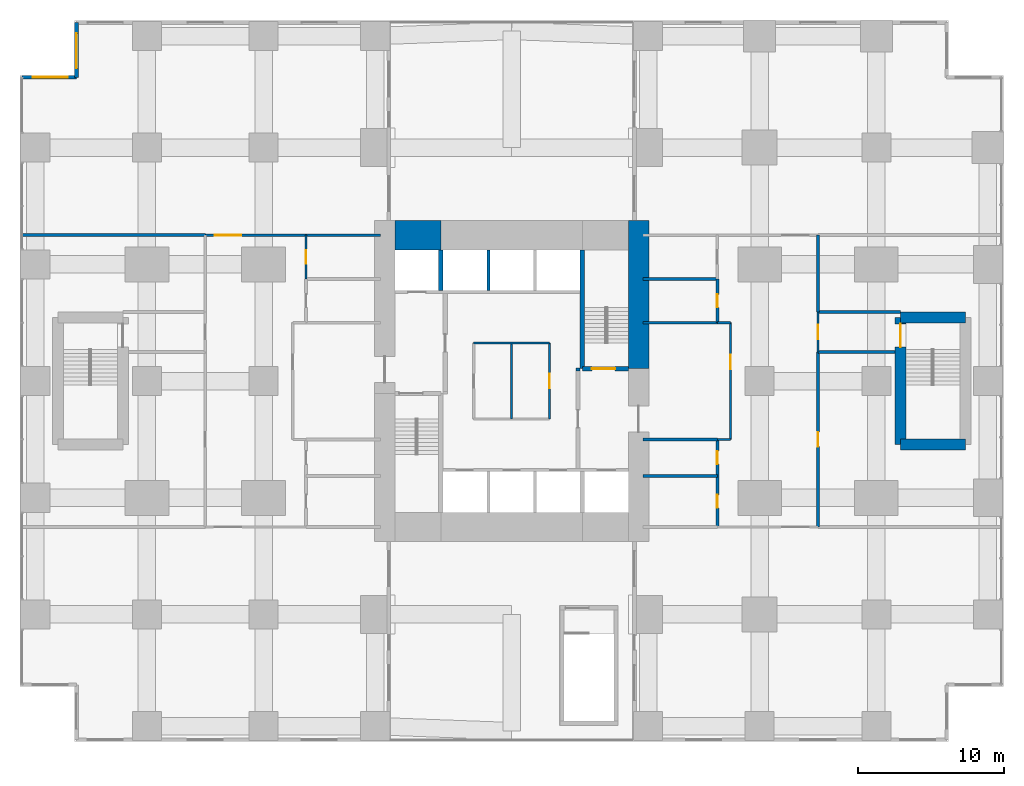
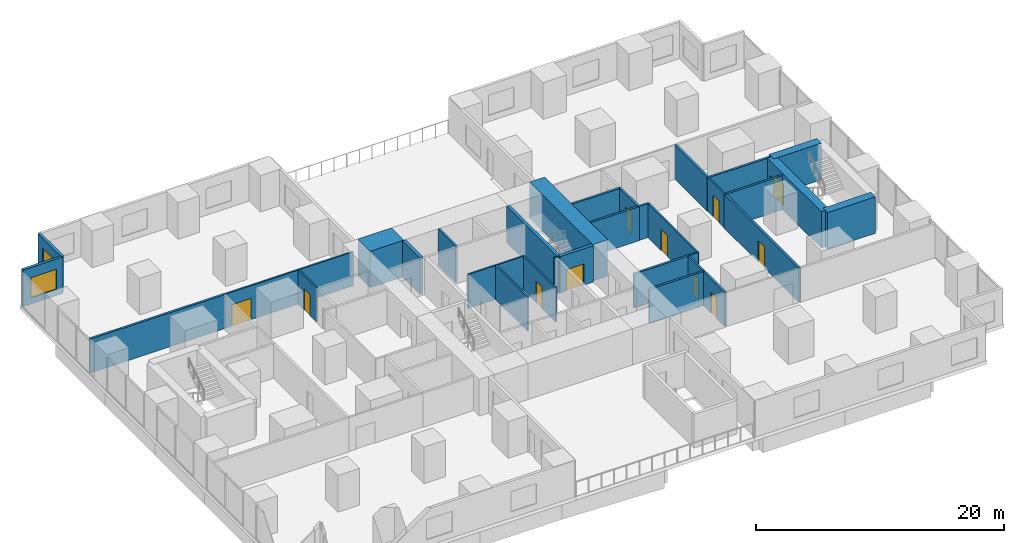
# One storey, part 12 of 15: 32 walls, 11 doors, 2 windows, 13 openings.
"""IFC4 building model written with IfcOpenShell, lengths in metres."""

from ifc_helpers import new_model, si_unit, direction, frame, frame_2d, origin, place, context, subcontext, project, spatial, rectangle, extrude, material, layer, layer_set, type_object, element, fill, save


model = new_model("IFC4")

# Units and contexts
model_context = context("Model", 3, precision=1e-05, world=origin(), true_north=direction((0.0, 1.0)))
body_context = subcontext(model_context, "Body", "Model", "MODEL_VIEW")
ifc_project = project(units=[si_unit("LENGTHUNIT", "METRE"), si_unit("AREAUNIT", "SQUARE_METRE"), si_unit("VOLUMEUNIT", "CUBIC_METRE"), si_unit("PLANEANGLEUNIT", "RADIAN"), si_unit("MASSUNIT", "GRAM", prefix="KILO")], contexts=[model_context])

# Site, building, storey
site_placement = place(None, origin())
site = spatial("IfcSite", under=ifc_project, at=site_placement, CompositionType="ELEMENT")
building_placement = place(site_placement, origin())
building = spatial("IfcBuilding", under=site, at=building_placement, Name="Cleftline Residences", CompositionType="ELEMENT")
storey_placement = place(building_placement, frame((0.0, 0.0, 26.0)))
storey = spatial("IfcBuildingStorey", under=building, at=storey_placement, Name="L05", CompositionType="ELEMENT", Elevation=26.0)

# Walls
ifc_material_1 = material(Name="Concrete B70", Category="concrete")
ifc_layer_1 = layer(ifc_material_1, 1.39990234375)
ifc_layer_set_1 = layer_set([ifc_layer_1], Name="CORE WALL 1400")
wall_type_1 = type_object("IfcWallType", Name="CORE WALL 1400", PredefinedType="SHEAR", material=ifc_layer_set_1)
wall_1_placement = place(storey_placement, frame((41.699951171875, 24.85009765625, 0.0), z_axis=(0.0, 0.0, 1.0), x_axis=(0.0, 1.0, 0.0)))
element("IfcWall", 1, at=wall_1_placement, inside=storey, type_object=wall_type_1, Name="Core wall E1", PredefinedType="SHEAR", context=body_context, shape_type="SweptSolid", body=[
    extrude(rectangle(XDim=10.14990234375, YDim=1.39990234375, at=frame_2d((5.074951171875, 0.0))), origin(), (0.0, 0.0, 1.0), 3.60009765625),
])
ifc_material_2 = material(Name="Concrete B70", Category="concrete")
ifc_layer_2 = layer(ifc_material_2, 2.0)
ifc_layer_set_2 = layer_set([ifc_layer_2], Name="CORE WALL 2000")
wall_type_2 = type_object("IfcWallType", Name="CORE WALL 2000", PredefinedType="SHEAR", material=ifc_layer_set_2)
wall_2_placement = place(storey_placement, frame((25.0, 34.0, 0.0), z_axis=(0.0, 0.0, 1.0), x_axis=(1.0, 0.0, 0.0)))
element("IfcWall", 2, at=wall_2_placement, inside=storey, type_object=wall_type_2, Name="Core wall N1", PredefinedType="SHEAR", context=body_context, shape_type="SweptSolid", body=[
    extrude(rectangle(XDim=3.14990234375, YDim=2.0, at=frame_2d((1.574951171875, 0.0))), origin(), (0.0, 0.0, 1.0), 3.60009765625),
])
ifc_material_3 = material(Name="Concrete B70", Category="concrete")
ifc_layer_3 = layer(ifc_material_3, 0.300048828125)
ifc_layer_set_3 = layer_set([ifc_layer_3], Name="CORE WALL 300")
wall_type_3 = type_object("IfcWallType", Name="CORE WALL 300", PredefinedType="SHEAR", material=ifc_layer_set_3)
wall_3_placement = place(storey_placement, frame((37.85009765625, 24.85009765625, 0.0), z_axis=(0.0, 0.0, 1.0), x_axis=(0.0, 1.0, 0.0)))
element("IfcWall", 3, at=wall_3_placement, inside=storey, type_object=wall_type_3, Name="Core wall SB-W", PredefinedType="SHEAR", context=body_context, shape_type="SweptSolid", body=[
    extrude(rectangle(XDim=8.14990234375, YDim=0.300048828125, at=frame_2d((4.074951171875, 0.0))), origin(), (0.0, 0.0, 1.0), 3.60009765625),
])

# Wall, opening, door
wall_4_placement = place(storey_placement, frame((37.85009765625, 24.85009765625, 0.0), z_axis=(0.0, 0.0, 1.0), x_axis=(1.0, 0.0, 0.0)))
wall_4 = element("IfcWall", 4, at=wall_4_placement, inside=storey, type_object=wall_type_3, Name="Core wall SB-S", PredefinedType="SHEAR", context=body_context, shape_type="SweptSolid", body=[
    extrude(rectangle(XDim=3.14990234375, YDim=0.300048828125, at=frame_2d((1.574951171875, 0.0))), origin(), (0.0, 0.0, 1.0), 3.60009765625),
])
opening_1_placement = place(wall_4_placement, frame((0.64990234375, 0.0, 0.0)))
opening_1 = element("IfcOpeningElement", 5, at=opening_1_placement, cuts=wall_4, Name="Opening D9", PredefinedType="OPENING", context=body_context, shape_type="SweptSolid", body=[
    extrude(rectangle(XDim=1.60009765625, YDim=2.10009765625, at=frame_2d((0.800048828125, 1.050048828125))), frame((0.0, 0.159912109375, 0.0), z_axis=(0.0, -1.0, 0.0), x_axis=(1.0, 0.0, 0.0)), (0.0, 0.0, 1.0), 0.320068359375),
])
ifc_material_4 = material(Name="Steel", Category="steel")
door_type_1 = type_object("IfcDoorType", Name="STAIR DOOR 1600X2100", OperationType="DOUBLE_DOOR_SINGLE_SWING", PredefinedType="DOOR", material=ifc_material_4)
door_1_placement = place(opening_1_placement, origin())
door_1 = element("IfcDoor", 6, at=door_1_placement, inside=storey, type_object=door_type_1, Name="Stair B door", OperationType="DOUBLE_DOOR_SINGLE_SWING", OverallHeight=2.10009765625, OverallWidth=1.60009765625, PredefinedType="DOOR", context=body_context, shape_type="SweptSolid", body=[
    extrude(rectangle(XDim=1.60009765625, YDim=2.10009765625, at=frame_2d((0.800048828125, 1.050048828125))), frame((0.0, 0.02490234375, 0.0), z_axis=(0.0, -1.0, 0.0), x_axis=(1.0, 0.0, 0.0)), (0.0, 0.0, 1.0), 0.050048828125),
])
fill(opening_1, door_1)

# Wall
wall_5_placement = place(storey_placement, frame((28.14990234375, 30.199951171875, 0.0), z_axis=(0.0, 0.0, 1.0), x_axis=(0.0, 1.0, 0.0)))
element("IfcWall", 7, at=wall_5_placement, inside=storey, type_object=wall_type_3, Name="Lift shaft wall", PredefinedType="SHEAR", context=body_context, shape_type="SweptSolid", body=[
    extrude(rectangle(XDim=2.800048828125, YDim=0.300048828125, at=frame_2d((1.39990234375, 0.0))), origin(), (0.0, 0.0, 1.0), 3.60009765625),
])

# Wall, opening, window
ifc_material_5 = material(Name="Rendered reinforced concrete blockwork", Category="masonry")
ifc_layer_4 = layer(ifc_material_5, 0.25)
ifc_layer_set_4 = layer_set([ifc_layer_4], Name="EXTERNAL WALL 250")
wall_type_4 = type_object("IfcWallType", Name="EXTERNAL WALL 250", PredefinedType="SOLIDWALL", material=ifc_layer_set_4)
wall_6_placement = place(storey_placement, frame((3.175048828125, 48.574951171875, 0.0), z_axis=(0.0, 0.0, 1.0), x_axis=(0.0, -1.0, 0.0)))
wall_6 = element("IfcWall", 8, at=wall_6_placement, inside=storey, type_object=wall_type_4, Name="External wall", PredefinedType="SOLIDWALL", context=body_context, shape_type="SweptSolid", body=[
    extrude(rectangle(XDim=3.75, YDim=0.25, at=frame_2d((1.875, 0.0))), origin(), (0.0, 0.0, 1.0), 3.60009765625),
])
opening_2_placement = place(wall_6_placement, frame((0.737548828125, 0.0, 0.60009765625)))
opening_2 = element("IfcOpeningElement", 9, at=opening_2_placement, cuts=wall_6, Name="Opening W6", PredefinedType="OPENING", context=body_context, shape_type="SweptSolid", body=[
    extrude(rectangle(XDim=2.39990234375, YDim=2.0, at=frame_2d((1.199951171875, 1.0))), frame((0.0, 0.135009765625, 0.0), z_axis=(0.0, -1.0, 0.0), x_axis=(1.0, 0.0, 0.0)), (0.0, 0.0, 1.0), 0.27001953125),
])
ifc_material_6 = material(Name="Aluminium frame, clear double glazing", Category="aluminium")
window_type = type_object("IfcWindowType", Name="WINDOW 2400X2000", PartitioningType="DOUBLE_PANEL_VERTICAL", PredefinedType="WINDOW", material=ifc_material_6)
window_1_placement = place(opening_2_placement, origin())
window_1 = element("IfcWindow", 10, at=window_1_placement, inside=storey, type_object=window_type, Name="Window", OverallHeight=2.0, OverallWidth=2.39990234375, PartitioningType="SINGLE_PANEL", PredefinedType="WINDOW", context=body_context, shape_type="SweptSolid", body=[
    extrude(rectangle(XDim=2.39990234375, YDim=2.0, at=frame_2d((1.199951171875, 1.0))), frame((0.0, 0.030029296875, 0.0), z_axis=(0.0, -1.0, 0.0), x_axis=(1.0, 0.0, 0.0)), (0.0, 0.0, 1.0), 0.06005859375),
])
fill(opening_2, window_1)

wall_7_placement = place(storey_placement, frame((3.175048828125, 44.824951171875, 0.0), z_axis=(0.0, 0.0, 1.0), x_axis=(-1.0, 0.0, 0.0)))
wall_7 = element("IfcWall", 11, at=wall_7_placement, inside=storey, type_object=wall_type_4, Name="External wall", PredefinedType="SOLIDWALL", context=body_context, shape_type="SweptSolid", body=[
    extrude(rectangle(XDim=3.75, YDim=0.25, at=frame_2d((1.875, 0.0))), origin(), (0.0, 0.0, 1.0), 3.60009765625),
])
opening_3_placement = place(wall_7_placement, frame((0.612548828125, 0.0, 0.60009765625)))
opening_3 = element("IfcOpeningElement", 12, at=opening_3_placement, cuts=wall_7, Name="Opening W6", PredefinedType="OPENING", context=body_context, shape_type="SweptSolid", body=[
    extrude(rectangle(XDim=2.39990234375, YDim=2.0, at=frame_2d((1.199951171875, 1.0))), frame((0.0, 0.135009765625, 0.0), z_axis=(0.0, -1.0, 0.0), x_axis=(1.0, 0.0, 0.0)), (0.0, 0.0, 1.0), 0.27001953125),
])
window_2_placement = place(opening_3_placement, origin())
window_2 = element("IfcWindow", 13, at=window_2_placement, inside=storey, type_object=window_type, Name="Window", OverallHeight=2.0, OverallWidth=2.39990234375, PartitioningType="SINGLE_PANEL", PredefinedType="WINDOW", context=body_context, shape_type="SweptSolid", body=[
    extrude(rectangle(XDim=2.39990234375, YDim=2.0, at=frame_2d((1.199951171875, 1.0))), frame((0.0, 0.030029296875, 0.0), z_axis=(0.0, -1.0, 0.0), x_axis=(1.0, 0.0, 0.0)), (0.0, 0.0, 1.0), 0.06005859375),
])
fill(opening_3, window_2)

# Walls
ifc_material_7 = material(Name="Concrete blockwork, fire rated", Category="masonry")
ifc_layer_5 = layer(ifc_material_7, 0.199951171875)
ifc_layer_set_5 = layer_set([ifc_layer_5], Name="FIRE WALL 200")
wall_type_5 = type_object("IfcWallType", Name="FIRE WALL 200", PredefinedType="PARTITIONING", material=ifc_layer_set_5)
for number, where, z_axis, x_axis, name in (
    (14, (42.0, 17.5, 0.0), (0.0, 0.0, 1.0), (1.0, 0.0, 0.0), "Fire separating wall"),
    (15, (42.0, 20.0, 0.0), (0.0, 0.0, 1.0), (1.0, 0.0, 0.0), "Fire separating wall"),
):
    element("IfcWall", number, at=place(storey_placement, frame(where, z_axis=z_axis, x_axis=x_axis)), inside=storey, type_object=wall_type_5, Name=name, PredefinedType="PARTITIONING", context=body_context, shape_type="SweptSolid", body=[
        extrude(rectangle(XDim=5.10009765625, YDim=0.199951171875, at=frame_2d((2.550048828125, 0.0))), origin(), (0.0, 0.0, 1.0), 3.35009765625),
    ])
wall_8_placement = place(storey_placement, frame((54.0, 26.0, 0.0), z_axis=(0.0, 0.0, 1.0), x_axis=(1.0, 0.0, 0.0)))
element("IfcWall", 16, at=wall_8_placement, inside=storey, type_object=wall_type_5, Name="Fire separating wall", PredefinedType="PARTITIONING", context=body_context, shape_type="SweptSolid", body=[
    extrude(rectangle(XDim=5.27490234375, YDim=0.199951171875, at=frame_2d((2.637451171875, 0.0))), origin(), (0.0, 0.0, 1.0), 3.35009765625),
])
wall_9_placement = place(storey_placement, frame((42.0, 28.0, 0.0), z_axis=(0.0, 0.0, 1.0), x_axis=(1.0, 0.0, 0.0)))
element("IfcWall", 17, at=wall_9_placement, inside=storey, type_object=wall_type_5, Name="Fire separating wall", PredefinedType="PARTITIONING", context=body_context, shape_type="SweptSolid", body=[
    extrude(rectangle(XDim=5.10009765625, YDim=0.199951171875, at=frame_2d((2.550048828125, 0.0))), origin(), (0.0, 0.0, 1.0), 3.35009765625),
])
wall_10_placement = place(storey_placement, frame((54.0, 28.72509765625, 0.0), z_axis=(0.0, 0.0, 1.0), x_axis=(1.0, 0.0, 0.0)))
element("IfcWall", 18, at=wall_10_placement, inside=storey, type_object=wall_type_5, Name="Fire separating wall", PredefinedType="PARTITIONING", context=body_context, shape_type="SweptSolid", body=[
    extrude(rectangle(XDim=5.64990234375, YDim=0.199951171875, at=frame_2d((2.824951171875, 0.0))), origin(), (0.0, 0.0, 1.0), 3.35009765625),
])
wall_11_placement = place(storey_placement, frame((42.0, 31.0, 0.0), z_axis=(0.0, 0.0, 1.0), x_axis=(1.0, 0.0, 0.0)))
element("IfcWall", 19, at=wall_11_placement, inside=storey, type_object=wall_type_5, Name="Fire separating wall", PredefinedType="PARTITIONING", context=body_context, shape_type="SweptSolid", body=[
    extrude(rectangle(XDim=5.10009765625, YDim=0.199951171875, at=frame_2d((2.550048828125, 0.0))), origin(), (0.0, 0.0, 1.0), 3.35009765625),
])
wall_12_placement = place(storey_placement, frame((-0.56103515625, 34.0, 0.0), z_axis=(0.0, 0.0, 1.0), x_axis=(1.0, 0.0, 0.0)))
element("IfcWall", 20, at=wall_12_placement, inside=storey, type_object=wall_type_5, Name="Fire separating wall", PredefinedType="PARTITIONING", context=body_context, shape_type="SweptSolid", body=[
    extrude(rectangle(XDim=12.56103515625, YDim=0.199951171875, at=frame_2d((6.280517578125, 0.0))), origin(), (0.0, 0.0, 1.0), 3.35009765625),
])

# Wall, openings, doors
wall_13_placement = place(storey_placement, frame((47.10009765625, 14.0, 0.0), z_axis=(0.0, 0.0, 1.0), x_axis=(0.0, 1.0, 0.0)))
wall_13 = element("IfcWall", 21, at=wall_13_placement, inside=storey, type_object=wall_type_5, Name="Fire separating wall", PredefinedType="PARTITIONING", context=body_context, shape_type="SweptSolid", body=[
    extrude(rectangle(XDim=6.0, YDim=0.199951171875, at=frame_2d((3.0, 0.0))), origin(), (0.0, 0.0, 1.0), 3.35009765625),
])
opening_4_placement = place(wall_13_placement, frame((1.300048828125, 0.0, 0.0)))
opening_4 = element("IfcOpeningElement", 22, at=opening_4_placement, cuts=wall_13, Name="Opening D1F30", PredefinedType="OPENING", context=body_context, shape_type="SweptSolid", body=[
    extrude(rectangle(XDim=0.89990234375, YDim=2.10009765625, at=frame_2d((0.449951171875, 1.050048828125))), frame((0.0, 0.10986328125, 0.0), z_axis=(0.0, -1.0, 0.0), x_axis=(1.0, 0.0, 0.0)), (0.0, 0.0, 1.0), 0.219970703125),
])
opening_5_placement = place(wall_13_placement, frame((4.300048828125, 0.0, 0.0)))
opening_5 = element("IfcOpeningElement", 23, at=opening_5_placement, cuts=wall_13, Name="Opening D1F30", PredefinedType="OPENING", context=body_context, shape_type="SweptSolid", body=[
    extrude(rectangle(XDim=0.89990234375, YDim=2.10009765625, at=frame_2d((0.449951171875, 1.050048828125))), frame((0.0, 0.10986328125, 0.0), z_axis=(0.0, -1.0, 0.0), x_axis=(1.0, 0.0, 0.0)), (0.0, 0.0, 1.0), 0.219970703125),
])
ifc_material_8 = material(Name="Timber veneer on solid core", Category="wood")
door_type_2 = type_object("IfcDoorType", Name="DOOR 900X2100 EI 30", OperationType="SINGLE_SWING_LEFT", PredefinedType="DOOR", material=ifc_material_8)
door_2_placement = place(opening_4_placement, origin())
door_2 = element("IfcDoor", 24, at=door_2_placement, inside=storey, type_object=door_type_2, Name="Door to male wc", OperationType="SINGLE_SWING_RIGHT", OverallHeight=2.10009765625, OverallWidth=0.89990234375, PredefinedType="DOOR", context=body_context, shape_type="SweptSolid", body=[
    extrude(rectangle(XDim=0.89990234375, YDim=2.10009765625, at=frame_2d((0.449951171875, 1.050048828125))), frame((0.0, 0.02490234375, 0.0), z_axis=(0.0, -1.0, 0.0), x_axis=(1.0, 0.0, 0.0)), (0.0, 0.0, 1.0), 0.050048828125),
])
fill(opening_4, door_2)
door_3_placement = place(opening_5_placement, origin())
door_3 = element("IfcDoor", 25, at=door_3_placement, inside=storey, type_object=door_type_2, Name="Door to female wc", OperationType="SINGLE_SWING_LEFT", OverallHeight=2.10009765625, OverallWidth=0.89990234375, PredefinedType="DOOR", context=body_context, shape_type="SweptSolid", body=[
    extrude(rectangle(XDim=0.89990234375, YDim=2.10009765625, at=frame_2d((0.449951171875, 1.050048828125))), frame((0.0, 0.02490234375, 0.0), z_axis=(0.0, -1.0, 0.0), x_axis=(1.0, 0.0, 0.0)), (0.0, 0.0, 1.0), 0.050048828125),
])
fill(opening_5, door_3)

# Wall, opening, door
wall_14_placement = place(storey_placement, frame((47.10009765625, 28.0, 0.0), z_axis=(0.0, 0.0, 1.0), x_axis=(0.0, 1.0, 0.0)))
wall_14 = element("IfcWall", 26, at=wall_14_placement, inside=storey, type_object=wall_type_5, Name="Fire separating wall", PredefinedType="PARTITIONING", context=body_context, shape_type="SweptSolid", body=[
    extrude(rectangle(XDim=3.0, YDim=0.199951171875, at=frame_2d((1.5, 0.0))), origin(), (0.0, 0.0, 1.0), 3.35009765625),
])
opening_6_placement = place(wall_14_placement, frame((1.050048828125, 0.0, 0.0)))
opening_6 = element("IfcOpeningElement", 27, at=opening_6_placement, cuts=wall_14, Name="Opening D1F30", PredefinedType="OPENING", context=body_context, shape_type="SweptSolid", body=[
    extrude(rectangle(XDim=0.89990234375, YDim=2.10009765625, at=frame_2d((0.449951171875, 1.050048828125))), frame((0.0, 0.10986328125, 0.0), z_axis=(0.0, -1.0, 0.0), x_axis=(1.0, 0.0, 0.0)), (0.0, 0.0, 1.0), 0.219970703125),
])
door_4_placement = place(opening_6_placement, origin())
door_4 = element("IfcDoor", 28, at=door_4_placement, inside=storey, type_object=door_type_2, Name="Door to accessible wc", OperationType="SINGLE_SWING_LEFT", OverallHeight=2.10009765625, OverallWidth=0.89990234375, PredefinedType="DOOR", context=body_context, shape_type="SweptSolid", body=[
    extrude(rectangle(XDim=0.89990234375, YDim=2.10009765625, at=frame_2d((0.449951171875, 1.050048828125))), frame((0.0, 0.02490234375, 0.0), z_axis=(0.0, -1.0, 0.0), x_axis=(1.0, 0.0, 0.0)), (0.0, 0.0, 1.0), 0.050048828125),
])
fill(opening_6, door_4)

wall_15_placement = place(storey_placement, frame((54.0, 14.0, 0.0), z_axis=(0.0, 0.0, 1.0), x_axis=(0.0, 1.0, 0.0)))
wall_15 = element("IfcWall", 29, at=wall_15_placement, inside=storey, type_object=wall_type_5, Name="Fire separating wall", PredefinedType="PARTITIONING", context=body_context, shape_type="SweptSolid", body=[
    extrude(rectangle(XDim=12.0, YDim=0.199951171875, at=frame_2d((6.0, 0.0))), origin(), (0.0, 0.0, 1.0), 3.35009765625),
])
opening_7_placement = place(wall_15_placement, frame((5.5, 0.0, 0.0)))
opening_7 = element("IfcOpeningElement", 30, at=opening_7_placement, cuts=wall_15, Name="Opening D2F60", PredefinedType="OPENING", context=body_context, shape_type="SweptSolid", body=[
    extrude(rectangle(XDim=1.0, YDim=2.10009765625, at=frame_2d((0.5, 1.050048828125))), frame((0.0, 0.10986328125, 0.0), z_axis=(0.0, -1.0, 0.0), x_axis=(1.0, 0.0, 0.0)), (0.0, 0.0, 1.0), 0.219970703125),
])
ifc_material_9 = material(Name="Timber veneer on solid core", Category="wood")
door_type_3 = type_object("IfcDoorType", Name="DOOR 1000X2100 EI 60", OperationType="SINGLE_SWING_LEFT", PredefinedType="DOOR", material=ifc_material_9)
door_5_placement = place(opening_7_placement, origin())
door_5 = element("IfcDoor", 31, at=door_5_placement, inside=storey, type_object=door_type_3, Name="Door to mechanical plant room", OperationType="SINGLE_SWING_LEFT", OverallHeight=2.10009765625, OverallWidth=1.0, PredefinedType="DOOR", context=body_context, shape_type="SweptSolid", body=[
    extrude(rectangle(XDim=1.0, YDim=2.10009765625, at=frame_2d((0.5, 1.050048828125))), frame((0.0, 0.02490234375, 0.0), z_axis=(0.0, -1.0, 0.0), x_axis=(1.0, 0.0, 0.0)), (0.0, 0.0, 1.0), 0.050048828125),
])
fill(opening_7, door_5)

# Walls
wall_16_placement = place(storey_placement, frame((54.0, 28.72509765625, 0.0), z_axis=(0.0, 0.0, 1.0), x_axis=(0.0, 1.0, 0.0)))
element("IfcWall", 32, at=wall_16_placement, inside=storey, type_object=wall_type_5, Name="Fire separating wall", PredefinedType="PARTITIONING", context=body_context, shape_type="SweptSolid", body=[
    extrude(rectangle(XDim=5.27490234375, YDim=0.199951171875, at=frame_2d((2.637451171875, 0.0))), origin(), (0.0, 0.0, 1.0), 3.35009765625),
])
wall_17_placement = place(storey_placement, frame((37.39990234375, 24.800048828125, 0.0), z_axis=(0.0, 0.0, 1.0), x_axis=(1.0, 0.0, 0.0)))
element("IfcWall", 33, at=wall_17_placement, inside=storey, type_object=wall_type_5, Name="Fire separating wall", PredefinedType="PARTITIONING", context=body_context, shape_type="SweptSolid", body=[
    extrude(rectangle(XDim=0.300048828125, YDim=0.199951171875, at=frame_2d((0.14990234375, 0.0))), origin(), (0.0, 0.0, 1.0), 3.60009765625),
])
ifc_material_10 = material(Name="Gypsum board on steel studs", Category="steel")
ifc_layer_6 = layer(ifc_material_10, 0.14990234375)
ifc_layer_set_6 = layer_set([ifc_layer_6], Name="PARTITION 150")
wall_type_6 = type_object("IfcWallType", Name="PARTITION 150", PredefinedType="PARTITIONING", material=ifc_layer_set_6)
for number, where, z_axis, x_axis, name in (
    (34, (47.10009765625, 20.0, 0.0), (0.0, 0.0, 1.0), (1.0, 0.0, 0.0), "Partition"),
    (35, (47.10009765625, 28.0, 0.0), (0.0, 0.0, 1.0), (1.0, 0.0, 0.0), "Partition"),
):
    element("IfcWall", number, at=place(storey_placement, frame(where, z_axis=z_axis, x_axis=x_axis)), inside=storey, type_object=wall_type_6, Name=name, PredefinedType="PARTITIONING", context=body_context, shape_type="SweptSolid", body=[
        extrude(rectangle(XDim=0.89990234375, YDim=0.14990234375, at=frame_2d((0.449951171875, 0.0))), origin(), (0.0, 0.0, 1.0), 3.35009765625),
    ])

# Wall, opening, door
wall_18_placement = place(storey_placement, frame((12.0, 34.0, 0.0), z_axis=(0.0, 0.0, 1.0), x_axis=(1.0, 0.0, 0.0)))
wall_18 = element("IfcWall", 36, at=wall_18_placement, inside=storey, type_object=wall_type_6, Name="Partition", PredefinedType="PARTITIONING", context=body_context, shape_type="SweptSolid", body=[
    extrude(rectangle(XDim=12.0, YDim=0.14990234375, at=frame_2d((6.0, 0.0))), origin(), (0.0, 0.0, 1.0), 3.35009765625),
])
opening_8_placement = place(wall_18_placement, frame((0.64990234375, 0.0, 0.0)))
opening_8 = element("IfcOpeningElement", 37, at=opening_8_placement, cuts=wall_18, Name="Opening D3", PredefinedType="OPENING", context=body_context, shape_type="SweptSolid", body=[
    extrude(rectangle(XDim=1.800048828125, YDim=2.10009765625, at=frame_2d((0.89990234375, 1.050048828125))), frame((0.0, 0.0849609375, 0.0), z_axis=(0.0, -1.0, 0.0), x_axis=(1.0, 0.0, 0.0)), (0.0, 0.0, 1.0), 0.169921875),
])
ifc_material_11 = material(Name="Timber veneer on solid core", Category="wood")
door_type_4 = type_object("IfcDoorType", Name="DOUBLE DOOR 1800X2100", OperationType="DOUBLE_DOOR_DOUBLE_SWING", PredefinedType="DOOR", material=ifc_material_11)
door_6_placement = place(opening_8_placement, origin())
door_6 = element("IfcDoor", 38, at=door_6_placement, inside=storey, type_object=door_type_4, Name="Door to games lounge", OperationType="DOUBLE_DOOR_DOUBLE_SWING", OverallHeight=2.10009765625, OverallWidth=1.800048828125, PredefinedType="DOOR", context=body_context, shape_type="SweptSolid", body=[
    extrude(rectangle(XDim=1.800048828125, YDim=2.10009765625, at=frame_2d((0.89990234375, 1.050048828125))), frame((0.0, 0.02490234375, 0.0), z_axis=(0.0, -1.0, 0.0), x_axis=(1.0, 0.0, 0.0)), (0.0, 0.0, 1.0), 0.050048828125),
])
fill(opening_8, door_6)

wall_19_placement = place(storey_placement, frame((18.89990234375, 31.0, 0.0), z_axis=(0.0, 0.0, 1.0), x_axis=(0.0, 1.0, 0.0)))
wall_19 = element("IfcWall", 39, at=wall_19_placement, inside=storey, type_object=wall_type_6, Name="Partition", PredefinedType="PARTITIONING", context=body_context, shape_type="SweptSolid", body=[
    extrude(rectangle(XDim=3.0, YDim=0.14990234375, at=frame_2d((1.5, 0.0))), origin(), (0.0, 0.0, 1.0), 3.35009765625),
])
opening_9_placement = place(wall_19_placement, frame((1.050048828125, 0.0, 0.0)))
opening_9 = element("IfcOpeningElement", 40, at=opening_9_placement, cuts=wall_19, Name="Opening D1", PredefinedType="OPENING", context=body_context, shape_type="SweptSolid", body=[
    extrude(rectangle(XDim=0.89990234375, YDim=2.10009765625, at=frame_2d((0.449951171875, 1.050048828125))), frame((0.0, 0.0849609375, 0.0), z_axis=(0.0, -1.0, 0.0), x_axis=(1.0, 0.0, 0.0)), (0.0, 0.0, 1.0), 0.169921875),
])
ifc_material_12 = material(Name="Timber veneer on solid core", Category="wood")
door_type_5 = type_object("IfcDoorType", Name="DOOR 900X2100", OperationType="SINGLE_SWING_LEFT", PredefinedType="DOOR", material=ifc_material_12)
door_7_placement = place(opening_9_placement, origin())
door_7 = element("IfcDoor", 41, at=door_7_placement, inside=storey, type_object=door_type_5, Name="Door to cleaner's store", OperationType="SINGLE_SWING_LEFT", OverallHeight=2.10009765625, OverallWidth=0.89990234375, PredefinedType="DOOR", context=body_context, shape_type="SweptSolid", body=[
    extrude(rectangle(XDim=0.89990234375, YDim=2.10009765625, at=frame_2d((0.449951171875, 1.050048828125))), frame((0.0, 0.02490234375, 0.0), z_axis=(0.0, -1.0, 0.0), x_axis=(1.0, 0.0, 0.0)), (0.0, 0.0, 1.0), 0.050048828125),
])
fill(opening_9, door_7)

wall_20_placement = place(storey_placement, frame((48.0, 20.0, 0.0), z_axis=(0.0, 0.0, 1.0), x_axis=(0.0, 1.0, 0.0)))
wall_20 = element("IfcWall", 42, at=wall_20_placement, inside=storey, type_object=wall_type_6, Name="Partition", PredefinedType="PARTITIONING", context=body_context, shape_type="SweptSolid", body=[
    extrude(rectangle(XDim=8.0, YDim=0.14990234375, at=frame_2d((4.0, 0.0))), origin(), (0.0, 0.0, 1.0), 3.35009765625),
])
opening_10_placement = place(wall_20_placement, frame((4.800048828125, 0.0, 0.0)))
opening_10 = element("IfcOpeningElement", 43, at=opening_10_placement, cuts=wall_20, Name="Opening D2F30", PredefinedType="OPENING", context=body_context, shape_type="SweptSolid", body=[
    extrude(rectangle(XDim=1.0, YDim=2.10009765625, at=frame_2d((0.5, 1.050048828125))), frame((0.0, 0.0849609375, 0.0), z_axis=(0.0, -1.0, 0.0), x_axis=(1.0, 0.0, 0.0)), (0.0, 0.0, 1.0), 0.169921875),
])
ifc_material_13 = material(Name="Timber veneer on solid core", Category="wood")
door_type_6 = type_object("IfcDoorType", Name="DOOR 1000X2100 EI 30", OperationType="SINGLE_SWING_LEFT", PredefinedType="DOOR", material=ifc_material_13)
door_8_placement = place(opening_10_placement, origin())
door_8 = element("IfcDoor", 44, at=door_8_placement, inside=storey, type_object=door_type_6, Name="Door to corridor", OperationType="SINGLE_SWING_LEFT", OverallHeight=2.10009765625, OverallWidth=1.0, PredefinedType="DOOR", context=body_context, shape_type="SweptSolid", body=[
    extrude(rectangle(XDim=1.0, YDim=2.10009765625, at=frame_2d((0.5, 1.050048828125))), frame((0.0, 0.02490234375, 0.0), z_axis=(0.0, -1.0, 0.0), x_axis=(1.0, 0.0, 0.0)), (0.0, 0.0, 1.0), 0.050048828125),
])
fill(opening_10, door_8)

wall_21_placement = place(storey_placement, frame((54.0, 26.0, 0.0), z_axis=(0.0, 0.0, 1.0), x_axis=(0.0, 1.0, 0.0)))
wall_21 = element("IfcWall", 45, at=wall_21_placement, inside=storey, type_object=wall_type_6, Name="Partition", PredefinedType="PARTITIONING", context=body_context, shape_type="SweptSolid", body=[
    extrude(rectangle(XDim=2.72509765625, YDim=0.14990234375, at=frame_2d((1.362548828125, 0.0))), origin(), (0.0, 0.0, 1.0), 3.35009765625),
])
opening_11_placement = place(wall_21_placement, frame((0.862548828125, 0.0, 0.0)))
opening_11 = element("IfcOpeningElement", 46, at=opening_11_placement, cuts=wall_21, Name="Opening D2F30", PredefinedType="OPENING", context=body_context, shape_type="SweptSolid", body=[
    extrude(rectangle(XDim=1.0, YDim=2.10009765625, at=frame_2d((0.5, 1.050048828125))), frame((0.0, 0.0849609375, 0.0), z_axis=(0.0, -1.0, 0.0), x_axis=(1.0, 0.0, 0.0)), (0.0, 0.0, 1.0), 0.169921875),
])
door_9_placement = place(opening_11_placement, origin())
door_9 = element("IfcDoor", 47, at=door_9_placement, inside=storey, type_object=door_type_6, Name="Door to stair lobby", OperationType="SINGLE_SWING_LEFT", OverallHeight=2.10009765625, OverallWidth=1.0, PredefinedType="DOOR", context=body_context, shape_type="SweptSolid", body=[
    extrude(rectangle(XDim=1.0, YDim=2.10009765625, at=frame_2d((0.5, 1.050048828125))), frame((0.0, 0.02490234375, 0.0), z_axis=(0.0, -1.0, 0.0), x_axis=(1.0, 0.0, 0.0)), (0.0, 0.0, 1.0), 0.050048828125),
])
fill(opening_11, door_9)

# Wall
ifc_material_14 = material(Name="Fire-resisting gypsum board on steel studs", Category="steel")
ifc_layer_7 = layer(ifc_material_14, 0.14990234375)
ifc_layer_set_7 = layer_set([ifc_layer_7], Name="PARTITION 150 EI 60")
wall_type_7 = type_object("IfcWallType", Name="PARTITION 150 EI 60", PredefinedType="PARTITIONING", material=ifc_layer_set_7)
wall_22_placement = place(storey_placement, frame((30.39990234375, 26.60009765625, 0.0), z_axis=(0.0, 0.0, 1.0), x_axis=(1.0, 0.0, 0.0)))
element("IfcWall", 48, at=wall_22_placement, inside=storey, type_object=wall_type_7, Name="Core room partition", PredefinedType="PARTITIONING", context=body_context, shape_type="SweptSolid", body=[
    extrude(rectangle(XDim=5.2001953125, YDim=0.14990234375, at=frame_2d((2.60009765625, 0.0))), origin(), (0.0, 0.0, 1.0), 3.35009765625),
])

# Wall, opening, door
wall_23_placement = place(storey_placement, frame((35.60009765625, 21.39990234375, 0.0), z_axis=(0.0, 0.0, 1.0), x_axis=(0.0, 1.0, 0.0)))
wall_23 = element("IfcWall", 49, at=wall_23_placement, inside=storey, type_object=wall_type_7, Name="Core room partition", PredefinedType="PARTITIONING", context=body_context, shape_type="SweptSolid", body=[
    extrude(rectangle(XDim=5.2001953125, YDim=0.14990234375, at=frame_2d((2.60009765625, 0.0))), origin(), (0.0, 0.0, 1.0), 3.35009765625),
])
opening_12_placement = place(wall_23_placement, frame((2.10009765625, 0.0, 0.0)))
opening_12 = element("IfcOpeningElement", 50, at=opening_12_placement, cuts=wall_23, Name="Opening D2F60", PredefinedType="OPENING", context=body_context, shape_type="SweptSolid", body=[
    extrude(rectangle(XDim=1.0, YDim=2.10009765625, at=frame_2d((0.5, 1.050048828125))), frame((0.0, 0.0849609375, 0.0), z_axis=(0.0, -1.0, 0.0), x_axis=(1.0, 0.0, 0.0)), (0.0, 0.0, 1.0), 0.169921875),
])
door_10_placement = place(opening_12_placement, origin())
door_10 = element("IfcDoor", 51, at=door_10_placement, inside=storey, type_object=door_type_3, Name="Door to communications room", OperationType="SINGLE_SWING_LEFT", OverallHeight=2.10009765625, OverallWidth=1.0, PredefinedType="DOOR", context=body_context, shape_type="SweptSolid", body=[
    extrude(rectangle(XDim=1.0, YDim=2.10009765625, at=frame_2d((0.5, 1.050048828125))), frame((0.0, 0.02490234375, 0.0), z_axis=(0.0, -1.0, 0.0), x_axis=(1.0, 0.0, 0.0)), (0.0, 0.0, 1.0), 0.050048828125),
])
fill(opening_12, door_10)

# Walls
wall_24_placement = place(storey_placement, frame((33.0, 21.39990234375, 0.0), z_axis=(0.0, 0.0, 1.0), x_axis=(0.0, 1.0, 0.0)))
element("IfcWall", 52, at=wall_24_placement, inside=storey, type_object=wall_type_7, Name="Core room partition", PredefinedType="PARTITIONING", context=body_context, shape_type="SweptSolid", body=[
    extrude(rectangle(XDim=5.2001953125, YDim=0.14990234375, at=frame_2d((2.60009765625, 0.0))), origin(), (0.0, 0.0, 1.0), 3.35009765625),
])
ifc_material_15 = material(Name="Concrete blockwork, fire rated", Category="masonry")
ifc_layer_8 = layer(ifc_material_15, 0.199951171875)
ifc_layer_set_8 = layer_set([ifc_layer_8], Name="SHAFT WALL 200")
wall_type_8 = type_object("IfcWallType", Name="SHAFT WALL 200", PredefinedType="PARTITIONING", material=ifc_layer_set_8)
wall_25_placement = place(storey_placement, frame((31.39990234375, 30.199951171875, 0.0), z_axis=(0.0, 0.0, 1.0), x_axis=(0.0, 1.0, 0.0)))
element("IfcWall", 53, at=wall_25_placement, inside=storey, type_object=wall_type_8, Name="Lift shaft wall", PredefinedType="PARTITIONING", context=body_context, shape_type="SweptSolid", body=[
    extrude(rectangle(XDim=2.800048828125, YDim=0.199951171875, at=frame_2d((1.39990234375, 0.0))), origin(), (0.0, 0.0, 1.0), 3.60009765625),
])
ifc_material_16 = material(Name="Concrete B70", Category="concrete")
ifc_layer_9 = layer(ifc_material_16, 0.75)
ifc_layer_set_9 = layer_set([ifc_layer_9], Name="SHEAR WALL 750")
wall_type_9 = type_object("IfcWallType", Name="SHEAR WALL 750", PredefinedType="SHEAR", material=ifc_layer_set_9)
for number, where, z_axis, x_axis, name in (
    (54, (59.64990234375, 19.64990234375, 0.0), (0.0, 0.0, 1.0), (1.0, 0.0, 0.0), "Wing shear wall"),
    (55, (64.10009765625, 28.35009765625, 0.0), (0.0, 0.0, 1.0), (-1.0, 0.0, 0.0), "Wing shear wall"),
):
    element("IfcWall", number, at=place(storey_placement, frame(where, z_axis=z_axis, x_axis=x_axis)), inside=storey, type_object=wall_type_9, Name=name, PredefinedType="SHEAR", context=body_context, shape_type="SweptSolid", body=[
        extrude(rectangle(XDim=4.4501953125, YDim=0.75, at=frame_2d((2.22509765625, 0.0))), origin(), (0.0, 0.0, 1.0), 3.60009765625),
    ])

# Wall, opening, door
wall_26_placement = place(storey_placement, frame((59.64990234375, 28.35009765625, 0.0), z_axis=(0.0, 0.0, 1.0), x_axis=(0.0, -1.0, 0.0)))
wall_26 = element("IfcWall", 56, at=wall_26_placement, inside=storey, type_object=wall_type_9, Name="Wing shear wall", PredefinedType="SHEAR", context=body_context, shape_type="SweptSolid", body=[
    extrude(rectangle(XDim=8.7001953125, YDim=0.75, at=frame_2d((4.35009765625, 0.0))), origin(), (0.0, 0.0, 1.0), 3.60009765625),
])
opening_13_placement = place(wall_26_placement, frame((0.425048828125, 0.0, 0.0)))
opening_13 = element("IfcOpeningElement", 57, at=opening_13_placement, cuts=wall_26, Name="Opening D9", PredefinedType="OPENING", context=body_context, shape_type="SweptSolid", body=[
    extrude(rectangle(XDim=1.60009765625, YDim=2.10009765625, at=frame_2d((0.800048828125, 1.050048828125))), frame((0.0, 0.385009765625, 0.0), z_axis=(0.0, -1.0, 0.0), x_axis=(1.0, 0.0, 0.0)), (0.0, 0.0, 1.0), 0.77001953125),
])
door_11_placement = place(opening_13_placement, origin())
door_11 = element("IfcDoor", 58, at=door_11_placement, inside=storey, type_object=door_type_1, Name="Stair E door", OperationType="DOUBLE_DOOR_SINGLE_SWING", OverallHeight=2.10009765625, OverallWidth=1.60009765625, PredefinedType="DOOR", context=body_context, shape_type="SweptSolid", body=[
    extrude(rectangle(XDim=1.60009765625, YDim=2.10009765625, at=frame_2d((0.800048828125, 1.050048828125))), frame((0.0, 0.02490234375, 0.0), z_axis=(0.0, -1.0, 0.0), x_axis=(1.0, 0.0, 0.0)), (0.0, 0.0, 1.0), 0.050048828125),
])
fill(opening_13, door_11)

save(model, "model.ifc")
